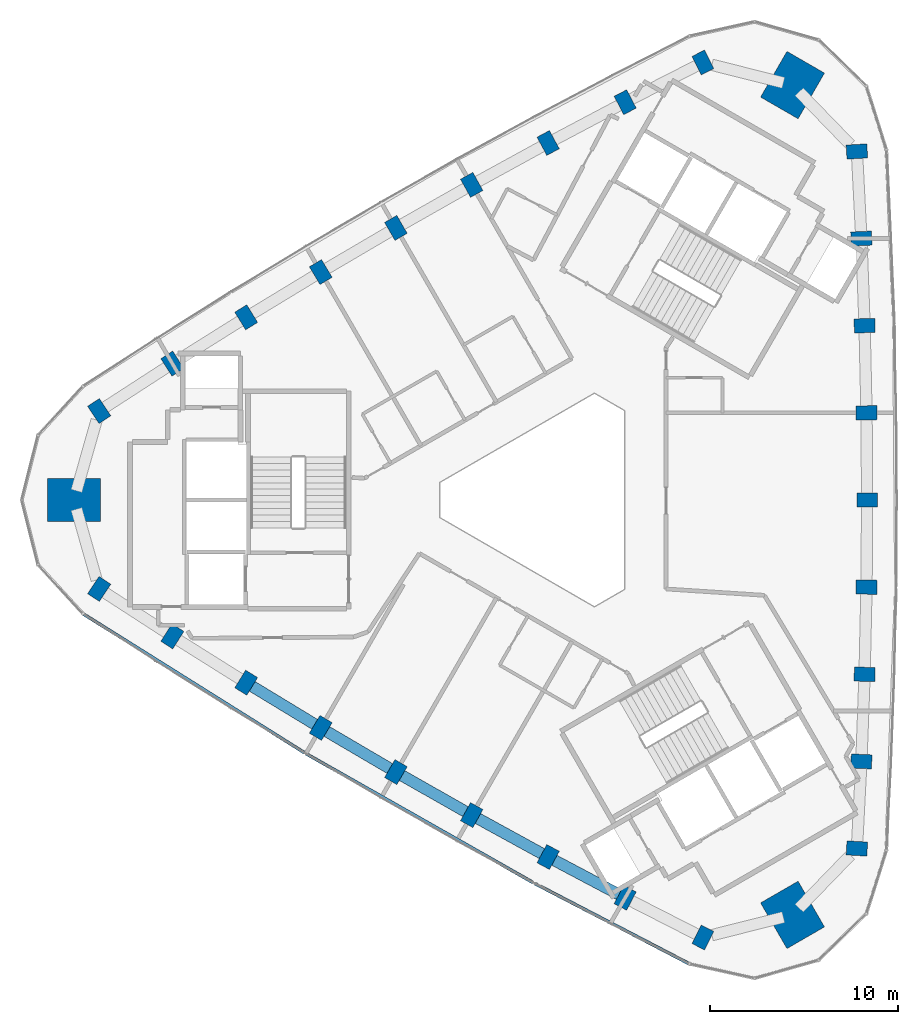
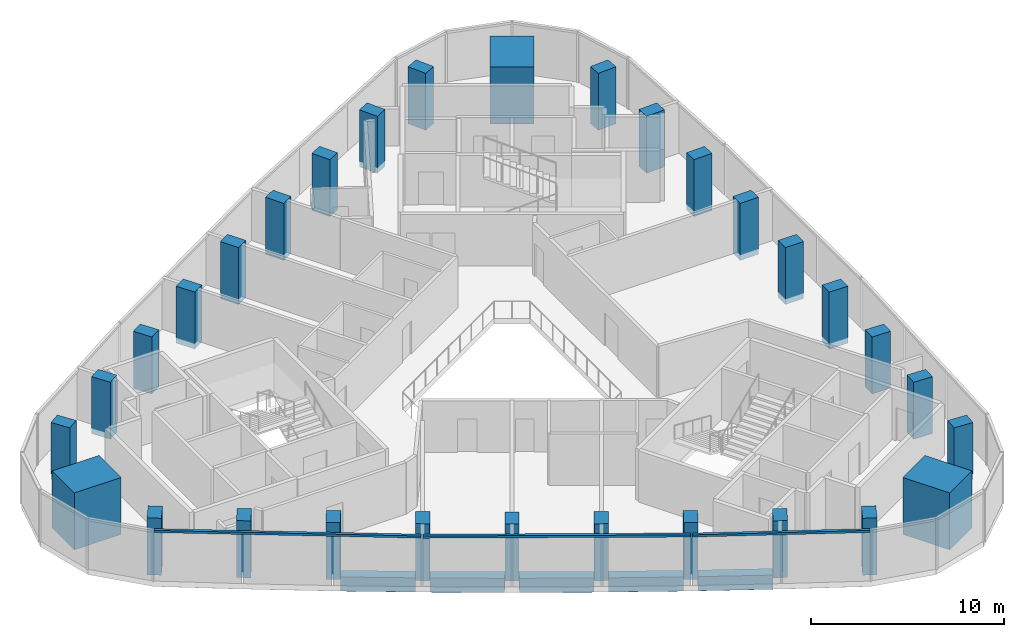
# One storey, part 1 of 11: 30 columns, 5 beams, 3 members, 1 element without a shape of its own.
"""IFC4 building model written with IfcOpenShell, lengths in metres."""

from ifc_helpers import new_model, si_unit, direction, frame, origin, origin_2d, place, context, subcontext, project, spatial, rectangle, extrude, material, material_profile, profile_set, type_object, element, aggregate, save


model = new_model("IFC4")

# Units and contexts
model_context = context("Model", 3, precision=1e-05, world=origin(), true_north=direction((0.0, 1.0)))
body_context = subcontext(model_context, "Body", "Model", "MODEL_VIEW")
ifc_project = project(units=[si_unit("LENGTHUNIT", "METRE"), si_unit("AREAUNIT", "SQUARE_METRE"), si_unit("VOLUMEUNIT", "CUBIC_METRE"), si_unit("PLANEANGLEUNIT", "RADIAN"), si_unit("MASSUNIT", "GRAM", prefix="KILO")], contexts=[model_context])

# Site, building, storey
site_placement = place(None, origin())
site = spatial("IfcSite", under=ifc_project, at=site_placement, CompositionType="ELEMENT")
building_placement = place(site_placement, origin())
building = spatial("IfcBuilding", under=site, at=building_placement, Name="Tamra Quay Hotel Tower", CompositionType="ELEMENT")
storey_placement = place(building_placement, frame((0.0, 0.0, 225.0)))
storey = spatial("IfcBuildingStorey", under=building, at=storey_placement, Name="L56", CompositionType="ELEMENT", Elevation=225.0)

# Columns
ifc_material_1 = material(Name="Concrete M70", Category="concrete")
ifc_material_profile_1 = material_profile(ifc_material_1, rectangle(XDim=1.10009765625, YDim=0.75, at=origin_2d()), Name="COLUMN RC 750x1100 Z5")
ifc_profile_set_1 = profile_set([ifc_material_profile_1], Name="Concrete M70")
column_type_1 = type_object("IfcColumnType", Name="COLUMN RC 750x1100 Z5", PredefinedType="COLUMN", material=ifc_profile_set_1)
for number, where, z_axis, x_axis, name in (
    (1, (16.12548828125, -18.490966796875, -0.35009765625), (0.0, 0.0, 1.0), (-0.998292120165, 0.05841954139, 0.0), "COL-C5E01-L56"),
    (2, (16.36328125, -13.87158203125, -0.35009765625), (0.0, 0.0, 1.0), (-0.999033395056, 0.043957656467, 0.0), "COL-C5E02-L56"),
    (3, (16.533203125, -9.24951171875, -0.35009765625), (0.0, 0.0, 1.0), (-0.999578606696, 0.029027728727, 0.0), "COL-C5E03-L56"),
    (4, (16.63525390625, -4.625, -0.35009765625), (0.0, 0.0, 1.0), (-0.999888113, 0.014958659101, 0.0), "COL-C5E04-L56"),
    (5, (16.66943359375, 0.0, -0.35009765625), (0.0, 0.0, 1.0), (1.0, 0.0, 0.0), "COL-C5E05-L56"),
    (6, (16.63525390625, 4.625, -0.35009765625), (0.0, 0.0, 1.0), (0.999888113, 0.014958659101, 0.0), "COL-C5E06-L56"),
    (7, (16.533203125, 9.24951171875, -0.35009765625), (0.0, 0.0, 1.0), (0.999578606696, 0.029027728727, 0.0), "COL-C5E07-L56"),
    (8, (16.36328125, 13.87158203125, -0.35009765625), (0.0, 0.0, 1.0), (0.999033395056, 0.043957656467, 0.0), "COL-C5E08-L56"),
    (9, (16.12548828125, 18.490966796875, -0.35009765625), (0.0, 0.0, 1.0), (0.998292120165, 0.05841954139, 0.0), "COL-C5E09-L56"),
    (10, (7.950927734375, 23.210693359375, -0.35009765625), (0.0, 0.0, 1.0), (-0.448553253162, 0.893756107156, 0.0), "COL-C5NW01-L56"),
    (11, (3.83154296875, 21.10693359375, -0.35009765625), (0.0, 0.0, 1.0), (-0.461448250337, 0.887167127581, 0.0), "COL-C5NW02-L56"),
    (12, (-0.25634765625, 18.943115234375, -0.35009765625), (0.0, 0.0, 1.0), (-0.474650552857, 0.880174330842, 0.0), "COL-C5NW03-L56"),
    (13, (-4.312255859375, 16.718994140625, -0.35009765625), (0.0, 0.0, 1.0), (-0.486989477712, 0.87340783635, 0.0), "COL-C5NW04-L56"),
    (14, (-8.334716796875, 14.43603515625, -0.35009765625), (0.0, 0.0, 1.0), (-0.5, 0.866025403784, 0.0), "COL-C5NW05-L56"),
    (15, (-12.322998046875, 12.093994140625, -0.35009765625), (0.0, 0.0, 1.0), (-0.512898635288, 0.858449177249, 0.0), "COL-C5NW06-L56"),
    (16, (-16.277099609375, 9.693359375, -0.35009765625), (0.0, 0.0, 1.0), (-0.52492805384, 0.851146602115, 0.0), "COL-C5NW07-L56"),
    (17, (-20.19482421875, 7.235107421875, -0.35009765625), (0.0, 0.0, 1.0), (-0.537585144719, 0.843209471114, 0.0), "COL-C5NW08-L56"),
    (18, (-24.076416015625, 4.7197265625, -0.35009765625), (0.0, 0.0, 1.0), (-0.549738867003, 0.835336565766, 0.0), "COL-C5NW09-L56"),
    (19, (-24.076416015625, -4.7197265625, -0.35009765625), (0.0, 0.0, 1.0), (0.549738867003, 0.835336565766, 0.0), "COL-C5SW01-L56"),
    (20, (-20.19482421875, -7.235107421875, -0.35009765625), (0.0, 0.0, 1.0), (0.537585144719, 0.843209471114, 0.0), "COL-C5SW02-L56"),
    (21, (-16.277099609375, -9.693359375, -0.35009765625), (0.0, 0.0, 1.0), (0.52492805384, 0.851146602115, 0.0), "COL-C5SW03-L56"),
    (22, (-12.322998046875, -12.093994140625, -0.35009765625), (0.0, 0.0, 1.0), (0.512898635288, 0.858449177249, 0.0), "COL-C5SW04-L56"),
    (23, (-8.334716796875, -14.43603515625, -0.35009765625), (0.0, 0.0, 1.0), (0.5, 0.866025403784, 0.0), "COL-C5SW05-L56"),
    (24, (-4.312255859375, -16.718994140625, -0.35009765625), (0.0, 0.0, 1.0), (0.486989477712, 0.87340783635, 0.0), "COL-C5SW06-L56"),
    (25, (-0.25634765625, -18.943115234375, -0.35009765625), (0.0, 0.0, 1.0), (0.474650552857, 0.880174330842, 0.0), "COL-C5SW07-L56"),
    (26, (3.83154296875, -21.10693359375, -0.35009765625), (0.0, 0.0, 1.0), (0.461448250337, 0.887167127581, 0.0), "COL-C5SW08-L56"),
    (27, (7.950927734375, -23.210693359375, -0.35009765625), (0.0, 0.0, 1.0), (0.448553253162, 0.893756107156, 0.0), "COL-C5SW09-L56"),
):
    element("IfcColumn", number, at=place(storey_placement, frame(where, z_axis=z_axis, x_axis=x_axis)), inside=storey, type_object=column_type_1, Name=name, PredefinedType="COLUMN", context=body_context, shape_type="SweptSolid", body=[
        extrude(rectangle(XDim=1.10009765625, YDim=0.75, at=origin_2d()), origin(), (0.0, 0.0, 1.0), 3.60009765625),
    ])
ifc_material_profile_2 = material_profile(ifc_material_1, rectangle(XDim=2.800048828125, YDim=2.300048828125, at=origin_2d()), Name="MEGA COLUMN RC 2300x2800 Z5")
ifc_profile_set_2 = profile_set([ifc_material_profile_2], Name="Concrete M70")
column_type_2 = type_object("IfcColumnType", Name="MEGA COLUMN RC 2300x2800 Z5", PredefinedType="COLUMN", material=ifc_profile_set_2)
for number, where, z_axis, x_axis, name in (
    (28, (12.710205078125, 22.0146484375, -0.35009765625), (0.0, 0.0, 1.0), (0.5, 0.866025403784, 0.0), "COL-M5NE-L56"),
    (29, (-25.42041015625, 0.0, -0.35009765625), (0.0, 0.0, 1.0), (1.0, 0.0, 0.0), "COL-M5W-L56"),
    (30, (12.710205078125, -22.0146484375, -0.35009765625), (0.0, 0.0, 1.0), (-0.5, 0.866025403784, 0.0), "COL-M5SE-L56"),
):
    element("IfcColumn", number, at=place(storey_placement, frame(where, z_axis=z_axis, x_axis=x_axis)), inside=storey, type_object=column_type_2, Name=name, PredefinedType="COLUMN", context=body_context, shape_type="SweptSolid", body=[
        extrude(rectangle(XDim=2.800048828125, YDim=2.300048828125, at=origin_2d()), origin(), (0.0, 0.0, 1.0), 3.60009765625),
    ])

# Beams
ifc_material_2 = material(Name="Concrete M60", Category="concrete")
ifc_material_profile_3 = material_profile(ifc_material_2, rectangle(XDim=0.60009765625, YDim=0.89990234375, at=origin_2d()), Name="SPANDREL BEAM RC 600x900")
ifc_profile_set_3 = profile_set([ifc_material_profile_3], Name="Concrete M60")
beam_type = type_object("IfcBeamType", Name="SPANDREL BEAM RC 600x900", PredefinedType="SPANDREL", material=ifc_profile_set_3)
beam_1_placement = place(storey_placement, frame((-15.95654296875, -9.887939453125, -0.800048828125), z_axis=(0.854785519234, -0.518981421737, 0.0), x_axis=(0.518981421737, 0.854785519234, 0.0)))
element("IfcBeam", 31, at=beam_1_placement, inside=storey, type_object=beam_type, Name="BM-SP5-022-L56", PredefinedType="SPANDREL", context=body_context, shape_type="SweptSolid", body=[
    extrude(rectangle(XDim=0.60009765625, YDim=0.89990234375, at=origin_2d()), origin(), (0.0, 0.0, 1.0), 3.875732421875),
])
beam_2_placement = place(storey_placement, frame((-11.999755859375, -12.283935546875, -0.800048828125), z_axis=(0.862324287816, -0.506356418585, 0.0), x_axis=(0.506356418585, 0.862324287816, 0.0)))
element("IfcBeam", 32, at=beam_2_placement, inside=storey, type_object=beam_type, Name="BM-SP5-023-L56", PredefinedType="SPANDREL", context=body_context, shape_type="SweptSolid", body=[
    extrude(rectangle(XDim=0.60009765625, YDim=0.89990234375, at=origin_2d()), origin(), (0.0, 0.0, 1.0), 3.875),
])
beam_3_placement = place(storey_placement, frame((-8.008544921875, -14.62109375, -0.800048828125), z_axis=(0.86967787455, -0.493619686113, 0.0), x_axis=(0.493619686113, 0.86967787455, 0.0)))
element("IfcBeam", 33, at=beam_3_placement, inside=storey, type_object=beam_type, Name="BM-SP5-024-L56", PredefinedType="SPANDREL", context=body_context, shape_type="SweptSolid", body=[
    extrude(rectangle(XDim=0.60009765625, YDim=0.89990234375, at=origin_2d()), origin(), (0.0, 0.0, 1.0), 3.875244140625),
])
beam_4_placement = place(storey_placement, frame((-3.9833984375, -16.8994140625, -0.800048828125), z_axis=(0.876838966376, -0.480784179279, 0.0), x_axis=(0.480784179279, 0.876838966376, 0.0)))
element("IfcBeam", 34, at=beam_4_placement, inside=storey, type_object=beam_type, Name="BM-SP5-025-L56", PredefinedType="SPANDREL", context=body_context, shape_type="SweptSolid", body=[
    extrude(rectangle(XDim=0.60009765625, YDim=0.89990234375, at=origin_2d()), origin(), (0.0, 0.0, 1.0), 3.87548828125),
])
beam_5_placement = place(storey_placement, frame((0.0751953125, -19.118408203125, -0.800048828125), z_axis=(0.883803240878, -0.467858772937, 0.0), x_axis=(0.467858772937, 0.883803240878, 0.0)))
element("IfcBeam", 35, at=beam_5_placement, inside=storey, type_object=beam_type, Name="BM-SP5-026-L56", PredefinedType="SPANDREL", context=body_context, shape_type="SweptSolid", body=[
    extrude(rectangle(XDim=0.60009765625, YDim=0.89990234375, at=origin_2d()), origin(), (0.0, 0.0, 1.0), 3.875),
])

# Curtain wall, members
ifc_material_3 = material(Name="Aluminium 6063 anodised dark grey", Category="aluminium")
curtain_wall_type = type_object("IfcCurtainWallType", Name="CW3 CURTAIN WALL", PredefinedType="NOTDEFINED", material=ifc_material_3)
curtain_wall_placement = place(storey_placement, origin())
curtain_wall = element("IfcCurtainWall", 36, at=curtain_wall_placement, inside=storey, type_object=curtain_wall_type, Name="CW3 south-west face L56", PredefinedType="NOTDEFINED")
ifc_material_profile_4 = material_profile(ifc_material_3, rectangle(XDim=0.169921875, YDim=0.139892578125, at=origin_2d()), Name="TRANSOM 170X140")
ifc_profile_set_4 = profile_set([ifc_material_profile_4], Name="Aluminium 6063 anodised dark grey")
member_type = type_object("IfcMemberType", Name="TRANSOM CW3 Z5", PredefinedType="USERDEFINED", material=ifc_profile_set_4)
member_1_placement = place(storey_placement, frame((-24.899658203125, -6.061767578125, 3.179931640625), z_axis=(0.847069654587, -0.531481890829, 0.0), x_axis=(0.531481890829, 0.847069654587, 0.0)))
member_1 = element("IfcMember", 37, at=member_1_placement, type_object=member_type, Name="CW3 transom L56.SW.1", ObjectType="TRANSOM", PredefinedType="USERDEFINED", context=body_context, shape_type="SweptSolid", body=[
    extrude(rectangle(XDim=0.169921875, YDim=0.139892578125, at=origin_2d()), origin(), (0.0, 0.0, 1.0), 13.84375),
])
member_2_placement = place(storey_placement, frame((-13.087158203125, -13.470703125, 3.179931640625), z_axis=(0.869679572469, -0.493616694642, 0.0), x_axis=(0.493616694642, 0.869679572469, 0.0)))
member_2 = element("IfcMember", 38, at=member_2_placement, type_object=member_type, Name="CW3 transom L56.SW.4", ObjectType="TRANSOM", PredefinedType="USERDEFINED", context=body_context, shape_type="SweptSolid", body=[
    extrude(rectangle(XDim=0.169921875, YDim=0.139892578125, at=origin_2d()), origin(), (0.0, 0.0, 1.0), 13.84423828125),
])
member_3_placement = place(storey_placement, frame((-0.959228515625, -20.351806640625, 3.179931640625), z_axis=(0.887215931947, -0.461354408345, 0.0), x_axis=(0.461354408345, 0.887215931947, 0.0)))
member_3 = element("IfcMember", 39, at=member_3_placement, type_object=member_type, Name="CW3 transom L56.SW.7", ObjectType="TRANSOM", PredefinedType="USERDEFINED", context=body_context, shape_type="SweptSolid", body=[
    extrude(rectangle(XDim=0.169921875, YDim=0.139892578125, at=origin_2d()), origin(), (0.0, 0.0, 1.0), 9.19677734375),
])
aggregate(curtain_wall, [member_1, member_2, member_3])

save(model, "model.ifc")
